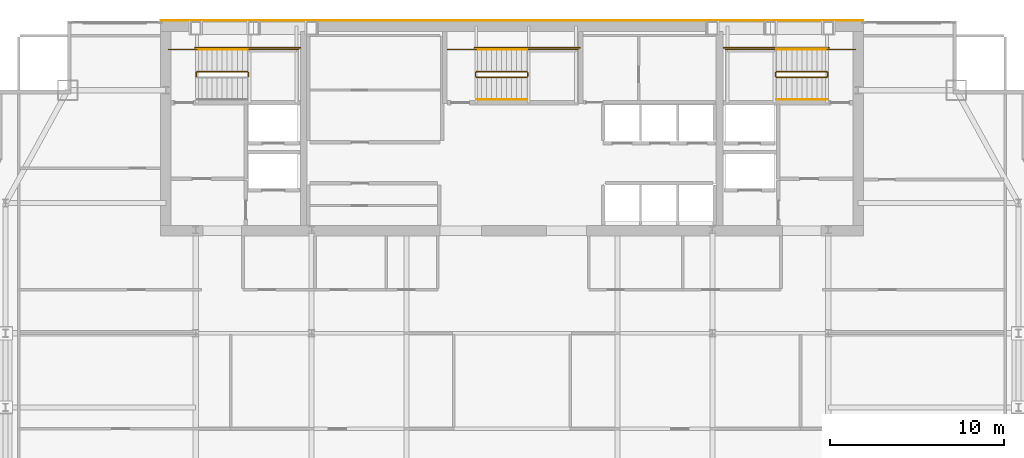
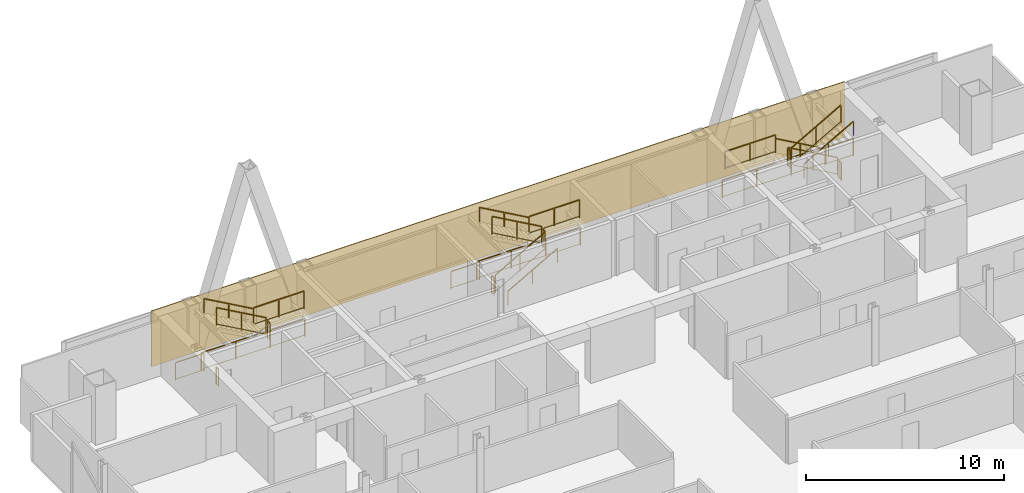
# One storey, part 33 of 33: 25 railings, 1 covering.
"""IFC4 building model written with IfcOpenShell, lengths in metres."""

from ifc_helpers import new_model, si_unit, direction, frame, origin, origin_2d, place, context, subcontext, project, spatial, polyline, rectangle, outline, extrude, material, layer, layer_set, type_object, element, save


model = new_model("IFC4")

# Units and contexts
model_context = context("Model", 3, precision=1e-05, world=origin(), true_north=direction((0.0, 1.0)))
body_context = subcontext(model_context, "Body", "Model", "MODEL_VIEW")
ifc_project = project(units=[si_unit("LENGTHUNIT", "METRE"), si_unit("AREAUNIT", "SQUARE_METRE"), si_unit("VOLUMEUNIT", "CUBIC_METRE"), si_unit("PLANEANGLEUNIT", "RADIAN"), si_unit("MASSUNIT", "GRAM", prefix="KILO")], contexts=[model_context])

# Site, building, storey
site_placement = place(None, origin())
site = spatial("IfcSite", under=ifc_project, at=site_placement, CompositionType="ELEMENT")
building_placement = place(site_placement, origin())
building = spatial("IfcBuilding", under=site, at=building_placement, Name="Khoronbel Lancet Exchange", CompositionType="ELEMENT")
storey_placement = place(building_placement, frame((0.0, 0.0, 210.199951171875)))
storey = spatial("IfcBuildingStorey", under=building, at=storey_placement, Name="L53", CompositionType="ELEMENT", Elevation=210.199951171875)

# Covering
ifc_material_1 = material(Name="Honed Egyptian Limestone & Bronze Rainscreen", Category="masonry")
ifc_layer = layer(ifc_material_1, 0.050048828125, Name="Honed Egyptian Limestone & Bronze Rainscreen")
ifc_layer_set = layer_set([ifc_layer], Name="Honed Egyptian Limestone & Bronze Rainscreen")
covering_type = type_object("IfcCoveringType", Name="COV-CLAD1", PredefinedType="CLADDING", material=ifc_layer_set)
covering_placement = place(storey_placement, origin())
element("IfcCovering", 1, at=covering_placement, inside=storey, type_object=covering_type, Name="Level L53 north rear-core stone and bronze rainscreen cladding", PredefinedType="CLADDING", context=body_context, shape_type="SweptSolid", body=[
    extrude(outline(polyline([(16.199951171875, 53.699951171875), (56.699951171875, 53.699951171875), (56.699951171875, 53.75), (16.199951171875, 53.75), (16.199951171875, 53.699951171875)])), origin(), (0.0, 0.0, 1.0), 3.43994140625),
])

# Railings
ifc_material_2 = material(Name="Painted Steel Balustrade", Category="steel")
railing_type_1 = type_object("IfcRailingType", Name="RL-STG110", PredefinedType="GUARDRAIL", material=ifc_material_2)
railing_1_placement = place(storey_placement, frame((21.25, 50.5, 1.800048828125)))
element("IfcRailing", 2, at=railing_1_placement, inside=storey, type_object=railing_type_1, Name="L53 ST1 stair guard 2", PredefinedType="GUARDRAIL", context=body_context, shape_type="SweptSolid", body=[
    extrude(rectangle(XDim=0.048095703125, YDim=0.048095703125, at=origin_2d()), frame((0.0, 0.0, 1.09619140625), z_axis=(0.0, 1.0, 0.0), x_axis=(-1.0, 0.0, 0.0)), (0.0, 0.0, 1.0), 0.219970703125),
    extrude(rectangle(XDim=0.02392578125, YDim=0.02392578125, at=origin_2d()), frame((0.0, 0.0, 0.080078125), z_axis=(0.0, 1.0, 0.0), x_axis=(-1.0, 0.0, 0.0)), (0.0, 0.0, 1.0), 0.219970703125),
    extrude(rectangle(XDim=0.0419921875, YDim=0.0419921875, at=origin_2d()), origin(), (0.0, 0.0, 1.0), 1.072021484375),
    extrude(rectangle(XDim=0.0419921875, YDim=0.0419921875, at=origin_2d()), frame((0.0, 0.219970703125, 0.0)), (0.0, 0.0, 1.0), 1.072021484375),
])
railing_2_placement = place(storey_placement, frame((21.199951171875, 52.050048828125, 1.800048828125)))
element("IfcRailing", 3, at=railing_2_placement, inside=storey, type_object=railing_type_1, Name="L53 ST1 stair guard 3", PredefinedType="GUARDRAIL", context=body_context, shape_type="SweptSolid", body=[
    extrude(rectangle(XDim=0.048095703125, YDim=0.048095703125, at=origin_2d()), frame((0.0, 0.0, 1.09619140625), z_axis=(1.0, 0.0, 0.0), x_axis=(0.0, 1.0, 0.0)), (0.0, 0.0, 1.0), 2.949951171875),
    extrude(rectangle(XDim=0.02392578125, YDim=0.02392578125, at=origin_2d()), frame((0.0, 0.0, 0.080078125), z_axis=(1.0, 0.0, 0.0), x_axis=(0.0, 1.0, 0.0)), (0.0, 0.0, 1.0), 2.949951171875),
    extrude(rectangle(XDim=0.0419921875, YDim=0.0419921875, at=origin_2d()), origin(), (0.0, 0.0, 1.0), 1.072021484375),
    extrude(rectangle(XDim=0.0419921875, YDim=0.0419921875, at=origin_2d()), frame((1.47509765625, 0.0, 0.0)), (0.0, 0.0, 1.0), 1.072021484375),
    extrude(rectangle(XDim=0.0419921875, YDim=0.0419921875, at=origin_2d()), frame((2.949951171875, 0.0, 0.0)), (0.0, 0.0, 1.0), 1.072021484375),
])
railing_3_placement = place(storey_placement, frame((21.199951171875, 50.77001953125, 1.963623046875)))
element("IfcRailing", 4, at=railing_3_placement, inside=storey, type_object=railing_type_1, Name="L53 ST1 stair guard 4", PredefinedType="GUARDRAIL", context=body_context, shape_type="SweptSolid", body=[
    extrude(rectangle(XDim=0.048095703125, YDim=0.048095703125, at=origin_2d()), frame((0.0, 0.0, 1.09619140625), z_axis=(-0.870897200241, 0.0, 0.491465224214), x_axis=(0.0, -1.0, 0.0)), (0.0, 0.0, 1.0), 3.329833984375),
    extrude(rectangle(XDim=0.02392578125, YDim=0.02392578125, at=origin_2d()), frame((0.0, 0.0, 0.080078125), z_axis=(-0.870897200241, 0.0, 0.491465224214), x_axis=(0.0, -1.0, 0.0)), (0.0, 0.0, 1.0), 3.329833984375),
    extrude(rectangle(XDim=0.0419921875, YDim=0.0419921875, at=origin_2d()), origin(), (0.0, 0.0, 1.0), 1.072021484375),
    extrude(rectangle(XDim=0.0419921875, YDim=0.0419921875, at=origin_2d()), frame((-1.449951171875, 0.0, 0.818359375)), (0.0, 0.0, 1.0), 1.072021484375),
    extrude(rectangle(XDim=0.0419921875, YDim=0.0419921875, at=origin_2d()), frame((-2.89990234375, 0.0, 1.636474609375)), (0.0, 0.0, 1.0), 1.072021484375),
])
railing_4_placement = place(storey_placement, frame((18.25, 50.5, 0.0)))
element("IfcRailing", 5, at=railing_4_placement, inside=storey, type_object=railing_type_1, Name="L53 ST1 stair guard 5", PredefinedType="GUARDRAIL", context=body_context, shape_type="SweptSolid", body=[
    extrude(rectangle(XDim=0.048095703125, YDim=0.048095703125, at=origin_2d()), frame((0.0, 0.0, 1.09619140625), z_axis=(0.0, 1.0, 0.0), x_axis=(-1.0, 0.0, 0.0)), (0.0, 0.0, 1.0), 0.219970703125),
    extrude(rectangle(XDim=0.02392578125, YDim=0.02392578125, at=origin_2d()), frame((0.0, 0.0, 0.080078125), z_axis=(0.0, 1.0, 0.0), x_axis=(-1.0, 0.0, 0.0)), (0.0, 0.0, 1.0), 0.219970703125),
    extrude(rectangle(XDim=0.0419921875, YDim=0.0419921875, at=origin_2d()), origin(), (0.0, 0.0, 1.0), 1.072021484375),
    extrude(rectangle(XDim=0.0419921875, YDim=0.0419921875, at=origin_2d()), frame((0.0, 0.219970703125, 0.0)), (0.0, 0.0, 1.0), 1.072021484375),
])
railing_5_placement = place(storey_placement, frame((16.64990234375, 52.050048828125, 0.0)))
element("IfcRailing", 6, at=railing_5_placement, inside=storey, type_object=railing_type_1, Name="L53 ST1 stair guard 6", PredefinedType="GUARDRAIL", context=body_context, shape_type="SweptSolid", body=[
    extrude(rectangle(XDim=0.048095703125, YDim=0.048095703125, at=origin_2d()), frame((0.0, 0.0, 1.09619140625), z_axis=(1.0, 0.0, 0.0), x_axis=(0.0, 1.0, 0.0)), (0.0, 0.0, 1.0), 1.650146484375),
    extrude(rectangle(XDim=0.02392578125, YDim=0.02392578125, at=origin_2d()), frame((0.0, 0.0, 0.080078125), z_axis=(1.0, 0.0, 0.0), x_axis=(0.0, 1.0, 0.0)), (0.0, 0.0, 1.0), 1.650146484375),
    extrude(rectangle(XDim=0.0419921875, YDim=0.0419921875, at=origin_2d()), origin(), (0.0, 0.0, 1.0), 1.072021484375),
    extrude(rectangle(XDim=0.0419921875, YDim=0.0419921875, at=origin_2d()), frame((1.650146484375, 0.0, 0.0)), (0.0, 0.0, 1.0), 1.072021484375),
])
railing_6_placement = place(storey_placement, frame((18.199951171875, 52.14990234375, 0.0)))
element("IfcRailing", 7, at=railing_6_placement, inside=storey, type_object=railing_type_1, Name="L53 ST1 stair guard 7", PredefinedType="GUARDRAIL", context=body_context, shape_type="SweptSolid", body=[
    extrude(rectangle(XDim=0.048095703125, YDim=0.048095703125, at=origin_2d()), frame((0.0, 0.0, 1.09619140625), z_axis=(1.0, 0.0, 0.0), x_axis=(0.0, 1.0, 0.0)), (0.0, 0.0, 1.0), 6.050048828125),
    extrude(rectangle(XDim=0.02392578125, YDim=0.02392578125, at=origin_2d()), frame((0.0, 0.0, 0.080078125), z_axis=(1.0, 0.0, 0.0), x_axis=(0.0, 1.0, 0.0)), (0.0, 0.0, 1.0), 6.050048828125),
    extrude(rectangle(XDim=0.0419921875, YDim=0.0419921875, at=origin_2d()), origin(), (0.0, 0.0, 1.0), 1.072021484375),
    extrude(rectangle(XDim=0.0419921875, YDim=0.0419921875, at=origin_2d()), frame((2.0166015625, 0.0, 0.0)), (0.0, 0.0, 1.0), 1.072021484375),
    extrude(rectangle(XDim=0.0419921875, YDim=0.0419921875, at=origin_2d()), frame((4.033447265625, 0.0, 0.0)), (0.0, 0.0, 1.0), 1.072021484375),
    extrude(rectangle(XDim=0.0419921875, YDim=0.0419921875, at=origin_2d()), frame((6.050048828125, 0.0, 0.0)), (0.0, 0.0, 1.0), 1.072021484375),
])
railing_7_placement = place(storey_placement, frame((54.60009765625, 50.77001953125, 0.16357421875)))
element("IfcRailing", 8, at=railing_7_placement, inside=storey, type_object=railing_type_1, Name="L53 ST2 stair guard 1", PredefinedType="GUARDRAIL", context=body_context, shape_type="SweptSolid", body=[
    extrude(rectangle(XDim=0.048095703125, YDim=0.048095703125, at=origin_2d()), frame((0.0, 0.0, 1.09619140625), z_axis=(-0.870914908162, 0.0, 0.491433843708), x_axis=(0.0, -1.0, 0.0)), (0.0, 0.0, 1.0), 3.330078125),
    extrude(rectangle(XDim=0.02392578125, YDim=0.02392578125, at=origin_2d()), frame((0.0, 0.0, 0.080078125), z_axis=(-0.870914908162, 0.0, 0.491433843708), x_axis=(0.0, -1.0, 0.0)), (0.0, 0.0, 1.0), 3.330078125),
    extrude(rectangle(XDim=0.0419921875, YDim=0.0419921875, at=origin_2d()), origin(), (0.0, 0.0, 1.0), 1.072021484375),
    extrude(rectangle(XDim=0.0419921875, YDim=0.0419921875, at=origin_2d()), frame((-1.4501953125, 0.0, 0.818359375)), (0.0, 0.0, 1.0), 1.072021484375),
    extrude(rectangle(XDim=0.0419921875, YDim=0.0419921875, at=origin_2d()), frame((-2.900146484375, 0.0, 1.636474609375)), (0.0, 0.0, 1.0), 1.072021484375),
])
railing_8_placement = place(storey_placement, frame((51.64990234375, 50.719970703125, 1.800048828125)))
element("IfcRailing", 9, at=railing_8_placement, inside=storey, type_object=railing_type_1, Name="L53 ST2 stair guard 2", PredefinedType="GUARDRAIL", context=body_context, shape_type="SweptSolid", body=[
    extrude(rectangle(XDim=0.048095703125, YDim=0.048095703125, at=origin_2d()), frame((0.0, 0.0, 1.09619140625), z_axis=(0.0, -1.0, 0.0), x_axis=(1.0, 0.0, 0.0)), (0.0, 0.0, 1.0), 0.219970703125),
    extrude(rectangle(XDim=0.02392578125, YDim=0.02392578125, at=origin_2d()), frame((0.0, 0.0, 0.080078125), z_axis=(0.0, -1.0, 0.0), x_axis=(1.0, 0.0, 0.0)), (0.0, 0.0, 1.0), 0.219970703125),
    extrude(rectangle(XDim=0.0419921875, YDim=0.0419921875, at=origin_2d()), origin(), (0.0, 0.0, 1.0), 1.072021484375),
    extrude(rectangle(XDim=0.0419921875, YDim=0.0419921875, at=origin_2d()), frame((0.0, -0.219970703125, 0.0)), (0.0, 0.0, 1.0), 1.072021484375),
])
railing_9_placement = place(storey_placement, frame((51.699951171875, 52.050048828125, 1.800048828125)))
element("IfcRailing", 10, at=railing_9_placement, inside=storey, type_object=railing_type_1, Name="L53 ST2 stair guard 3", PredefinedType="GUARDRAIL", context=body_context, shape_type="SweptSolid", body=[
    extrude(rectangle(XDim=0.048095703125, YDim=0.048095703125, at=origin_2d()), frame((0.0, 0.0, 1.09619140625), z_axis=(-1.0, 0.0, 0.0), x_axis=(0.0, -1.0, 0.0)), (0.0, 0.0, 1.0), 2.949951171875),
    extrude(rectangle(XDim=0.02392578125, YDim=0.02392578125, at=origin_2d()), frame((0.0, 0.0, 0.080078125), z_axis=(-1.0, 0.0, 0.0), x_axis=(0.0, -1.0, 0.0)), (0.0, 0.0, 1.0), 2.949951171875),
    extrude(rectangle(XDim=0.0419921875, YDim=0.0419921875, at=origin_2d()), origin(), (0.0, 0.0, 1.0), 1.072021484375),
    extrude(rectangle(XDim=0.0419921875, YDim=0.0419921875, at=origin_2d()), frame((-1.47509765625, 0.0, 0.0)), (0.0, 0.0, 1.0), 1.072021484375),
    extrude(rectangle(XDim=0.0419921875, YDim=0.0419921875, at=origin_2d()), frame((-2.949951171875, 0.0, 0.0)), (0.0, 0.0, 1.0), 1.072021484375),
])
railing_10_placement = place(storey_placement, frame((51.699951171875, 50.449951171875, 1.963623046875)))
element("IfcRailing", 11, at=railing_10_placement, inside=storey, type_object=railing_type_1, Name="L53 ST2 stair guard 4", PredefinedType="GUARDRAIL", context=body_context, shape_type="SweptSolid", body=[
    extrude(rectangle(XDim=0.048095703125, YDim=0.048095703125, at=origin_2d()), frame((0.0, 0.0, 1.09619140625), z_axis=(0.870914908162, 0.0, 0.491433843708), x_axis=(0.0, 1.0, 0.0)), (0.0, 0.0, 1.0), 3.330078125),
    extrude(rectangle(XDim=0.02392578125, YDim=0.02392578125, at=origin_2d()), frame((0.0, 0.0, 0.080078125), z_axis=(0.870914908162, 0.0, 0.491433843708), x_axis=(0.0, 1.0, 0.0)), (0.0, 0.0, 1.0), 3.330078125),
    extrude(rectangle(XDim=0.0419921875, YDim=0.0419921875, at=origin_2d()), origin(), (0.0, 0.0, 1.0), 1.072021484375),
    extrude(rectangle(XDim=0.0419921875, YDim=0.0419921875, at=origin_2d()), frame((1.4501953125, 0.0, 0.818359375)), (0.0, 0.0, 1.0), 1.072021484375),
    extrude(rectangle(XDim=0.0419921875, YDim=0.0419921875, at=origin_2d()), frame((2.900146484375, 0.0, 1.636474609375)), (0.0, 0.0, 1.0), 1.072021484375),
])
railing_11_placement = place(storey_placement, frame((54.64990234375, 50.719970703125, 0.0)))
element("IfcRailing", 12, at=railing_11_placement, inside=storey, type_object=railing_type_1, Name="L53 ST2 stair guard 5", PredefinedType="GUARDRAIL", context=body_context, shape_type="SweptSolid", body=[
    extrude(rectangle(XDim=0.048095703125, YDim=0.048095703125, at=origin_2d()), frame((0.0, 0.0, 1.09619140625), z_axis=(0.0, -1.0, 0.0), x_axis=(1.0, 0.0, 0.0)), (0.0, 0.0, 1.0), 0.219970703125),
    extrude(rectangle(XDim=0.02392578125, YDim=0.02392578125, at=origin_2d()), frame((0.0, 0.0, 0.080078125), z_axis=(0.0, -1.0, 0.0), x_axis=(1.0, 0.0, 0.0)), (0.0, 0.0, 1.0), 0.219970703125),
    extrude(rectangle(XDim=0.0419921875, YDim=0.0419921875, at=origin_2d()), origin(), (0.0, 0.0, 1.0), 1.072021484375),
    extrude(rectangle(XDim=0.0419921875, YDim=0.0419921875, at=origin_2d()), frame((0.0, -0.219970703125, 0.0)), (0.0, 0.0, 1.0), 1.072021484375),
])
railing_12_placement = place(storey_placement, frame((56.25, 52.050048828125, 0.0)))
element("IfcRailing", 13, at=railing_12_placement, inside=storey, type_object=railing_type_1, Name="L53 ST2 stair guard 6", PredefinedType="GUARDRAIL", context=body_context, shape_type="SweptSolid", body=[
    extrude(rectangle(XDim=0.048095703125, YDim=0.048095703125, at=origin_2d()), frame((0.0, 0.0, 1.09619140625), z_axis=(-1.0, 0.0, 0.0), x_axis=(0.0, -1.0, 0.0)), (0.0, 0.0, 1.0), 1.64990234375),
    extrude(rectangle(XDim=0.02392578125, YDim=0.02392578125, at=origin_2d()), frame((0.0, 0.0, 0.080078125), z_axis=(-1.0, 0.0, 0.0), x_axis=(0.0, -1.0, 0.0)), (0.0, 0.0, 1.0), 1.64990234375),
    extrude(rectangle(XDim=0.0419921875, YDim=0.0419921875, at=origin_2d()), origin(), (0.0, 0.0, 1.0), 1.072021484375),
    extrude(rectangle(XDim=0.0419921875, YDim=0.0419921875, at=origin_2d()), frame((-1.64990234375, 0.0, 0.0)), (0.0, 0.0, 1.0), 1.072021484375),
])
railing_13_placement = place(storey_placement, frame((54.699951171875, 52.14990234375, 0.0)))
element("IfcRailing", 14, at=railing_13_placement, inside=storey, type_object=railing_type_1, Name="L53 ST2 stair guard 7", PredefinedType="GUARDRAIL", context=body_context, shape_type="SweptSolid", body=[
    extrude(rectangle(XDim=0.048095703125, YDim=0.048095703125, at=origin_2d()), frame((0.0, 0.0, 1.09619140625), z_axis=(-1.0, 0.0, 0.0), x_axis=(0.0, -1.0, 0.0)), (0.0, 0.0, 1.0), 6.050048828125),
    extrude(rectangle(XDim=0.02392578125, YDim=0.02392578125, at=origin_2d()), frame((0.0, 0.0, 0.080078125), z_axis=(-1.0, 0.0, 0.0), x_axis=(0.0, -1.0, 0.0)), (0.0, 0.0, 1.0), 6.050048828125),
    extrude(rectangle(XDim=0.0419921875, YDim=0.0419921875, at=origin_2d()), origin(), (0.0, 0.0, 1.0), 1.072021484375),
    extrude(rectangle(XDim=0.0419921875, YDim=0.0419921875, at=origin_2d()), frame((-2.0166015625, 0.0, 0.0)), (0.0, 0.0, 1.0), 1.072021484375),
    extrude(rectangle(XDim=0.0419921875, YDim=0.0419921875, at=origin_2d()), frame((-4.033447265625, 0.0, 0.0)), (0.0, 0.0, 1.0), 1.072021484375),
    extrude(rectangle(XDim=0.0419921875, YDim=0.0419921875, at=origin_2d()), frame((-6.050048828125, 0.0, 0.0)), (0.0, 0.0, 1.0), 1.072021484375),
])
railing_14_placement = place(storey_placement, frame((34.39990234375, 50.449951171875, 0.16357421875)))
element("IfcRailing", 15, at=railing_14_placement, inside=storey, type_object=railing_type_1, Name="L53 ST3 stair guard 1", PredefinedType="GUARDRAIL", context=body_context, shape_type="SweptSolid", body=[
    extrude(rectangle(XDim=0.048095703125, YDim=0.048095703125, at=origin_2d()), frame((0.0, 0.0, 1.09619140625), z_axis=(0.870914908162, 0.0, 0.491433843708), x_axis=(0.0, 1.0, 0.0)), (0.0, 0.0, 1.0), 3.330078125),
    extrude(rectangle(XDim=0.02392578125, YDim=0.02392578125, at=origin_2d()), frame((0.0, 0.0, 0.080078125), z_axis=(0.870914908162, 0.0, 0.491433843708), x_axis=(0.0, 1.0, 0.0)), (0.0, 0.0, 1.0), 3.330078125),
    extrude(rectangle(XDim=0.0419921875, YDim=0.0419921875, at=origin_2d()), origin(), (0.0, 0.0, 1.0), 1.072021484375),
    extrude(rectangle(XDim=0.0419921875, YDim=0.0419921875, at=origin_2d()), frame((1.4501953125, 0.0, 0.818359375)), (0.0, 0.0, 1.0), 1.072021484375),
    extrude(rectangle(XDim=0.0419921875, YDim=0.0419921875, at=origin_2d()), frame((2.900146484375, 0.0, 1.636474609375)), (0.0, 0.0, 1.0), 1.072021484375),
])
railing_15_placement = place(storey_placement, frame((37.35009765625, 50.5, 1.800048828125)))
element("IfcRailing", 16, at=railing_15_placement, inside=storey, type_object=railing_type_1, Name="L53 ST3 stair guard 2", PredefinedType="GUARDRAIL", context=body_context, shape_type="SweptSolid", body=[
    extrude(rectangle(XDim=0.048095703125, YDim=0.048095703125, at=origin_2d()), frame((0.0, 0.0, 1.09619140625), z_axis=(0.0, 1.0, 0.0), x_axis=(-1.0, 0.0, 0.0)), (0.0, 0.0, 1.0), 0.219970703125),
    extrude(rectangle(XDim=0.02392578125, YDim=0.02392578125, at=origin_2d()), frame((0.0, 0.0, 0.080078125), z_axis=(0.0, 1.0, 0.0), x_axis=(-1.0, 0.0, 0.0)), (0.0, 0.0, 1.0), 0.219970703125),
    extrude(rectangle(XDim=0.0419921875, YDim=0.0419921875, at=origin_2d()), origin(), (0.0, 0.0, 1.0), 1.072021484375),
    extrude(rectangle(XDim=0.0419921875, YDim=0.0419921875, at=origin_2d()), frame((0.0, 0.219970703125, 0.0)), (0.0, 0.0, 1.0), 1.072021484375),
])
railing_16_placement = place(storey_placement, frame((37.300048828125, 52.050048828125, 1.800048828125)))
element("IfcRailing", 17, at=railing_16_placement, inside=storey, type_object=railing_type_1, Name="L53 ST3 stair guard 3", PredefinedType="GUARDRAIL", context=body_context, shape_type="SweptSolid", body=[
    extrude(rectangle(XDim=0.048095703125, YDim=0.048095703125, at=origin_2d()), frame((0.0, 0.0, 1.09619140625), z_axis=(1.0, 0.0, 0.0), x_axis=(0.0, 1.0, 0.0)), (0.0, 0.0, 1.0), 2.949951171875),
    extrude(rectangle(XDim=0.02392578125, YDim=0.02392578125, at=origin_2d()), frame((0.0, 0.0, 0.080078125), z_axis=(1.0, 0.0, 0.0), x_axis=(0.0, 1.0, 0.0)), (0.0, 0.0, 1.0), 2.949951171875),
    extrude(rectangle(XDim=0.0419921875, YDim=0.0419921875, at=origin_2d()), origin(), (0.0, 0.0, 1.0), 1.072021484375),
    extrude(rectangle(XDim=0.0419921875, YDim=0.0419921875, at=origin_2d()), frame((1.47509765625, 0.0, 0.0)), (0.0, 0.0, 1.0), 1.072021484375),
    extrude(rectangle(XDim=0.0419921875, YDim=0.0419921875, at=origin_2d()), frame((2.949951171875, 0.0, 0.0)), (0.0, 0.0, 1.0), 1.072021484375),
])
railing_17_placement = place(storey_placement, frame((37.300048828125, 50.77001953125, 1.963623046875)))
element("IfcRailing", 18, at=railing_17_placement, inside=storey, type_object=railing_type_1, Name="L53 ST3 stair guard 4", PredefinedType="GUARDRAIL", context=body_context, shape_type="SweptSolid", body=[
    extrude(rectangle(XDim=0.048095703125, YDim=0.048095703125, at=origin_2d()), frame((0.0, 0.0, 1.09619140625), z_axis=(-0.870914908162, 0.0, 0.491433843708), x_axis=(0.0, -1.0, 0.0)), (0.0, 0.0, 1.0), 3.330078125),
    extrude(rectangle(XDim=0.02392578125, YDim=0.02392578125, at=origin_2d()), frame((0.0, 0.0, 0.080078125), z_axis=(-0.870914908162, 0.0, 0.491433843708), x_axis=(0.0, -1.0, 0.0)), (0.0, 0.0, 1.0), 3.330078125),
    extrude(rectangle(XDim=0.0419921875, YDim=0.0419921875, at=origin_2d()), origin(), (0.0, 0.0, 1.0), 1.072021484375),
    extrude(rectangle(XDim=0.0419921875, YDim=0.0419921875, at=origin_2d()), frame((-1.4501953125, 0.0, 0.818359375)), (0.0, 0.0, 1.0), 1.072021484375),
    extrude(rectangle(XDim=0.0419921875, YDim=0.0419921875, at=origin_2d()), frame((-2.900146484375, 0.0, 1.636474609375)), (0.0, 0.0, 1.0), 1.072021484375),
])
railing_18_placement = place(storey_placement, frame((34.35009765625, 50.5, 0.0)))
element("IfcRailing", 19, at=railing_18_placement, inside=storey, type_object=railing_type_1, Name="L53 ST3 stair guard 5", PredefinedType="GUARDRAIL", context=body_context, shape_type="SweptSolid", body=[
    extrude(rectangle(XDim=0.048095703125, YDim=0.048095703125, at=origin_2d()), frame((0.0, 0.0, 1.09619140625), z_axis=(0.0, 1.0, 0.0), x_axis=(-1.0, 0.0, 0.0)), (0.0, 0.0, 1.0), 0.219970703125),
    extrude(rectangle(XDim=0.02392578125, YDim=0.02392578125, at=origin_2d()), frame((0.0, 0.0, 0.080078125), z_axis=(0.0, 1.0, 0.0), x_axis=(-1.0, 0.0, 0.0)), (0.0, 0.0, 1.0), 0.219970703125),
    extrude(rectangle(XDim=0.0419921875, YDim=0.0419921875, at=origin_2d()), origin(), (0.0, 0.0, 1.0), 1.072021484375),
    extrude(rectangle(XDim=0.0419921875, YDim=0.0419921875, at=origin_2d()), frame((0.0, 0.219970703125, 0.0)), (0.0, 0.0, 1.0), 1.072021484375),
])
railing_19_placement = place(storey_placement, frame((32.75, 52.050048828125, 0.0)))
element("IfcRailing", 20, at=railing_19_placement, inside=storey, type_object=railing_type_1, Name="L53 ST3 stair guard 6", PredefinedType="GUARDRAIL", context=body_context, shape_type="SweptSolid", body=[
    extrude(rectangle(XDim=0.048095703125, YDim=0.048095703125, at=origin_2d()), frame((0.0, 0.0, 1.09619140625), z_axis=(1.0, 0.0, 0.0), x_axis=(0.0, 1.0, 0.0)), (0.0, 0.0, 1.0), 1.64990234375),
    extrude(rectangle(XDim=0.02392578125, YDim=0.02392578125, at=origin_2d()), frame((0.0, 0.0, 0.080078125), z_axis=(1.0, 0.0, 0.0), x_axis=(0.0, 1.0, 0.0)), (0.0, 0.0, 1.0), 1.64990234375),
    extrude(rectangle(XDim=0.0419921875, YDim=0.0419921875, at=origin_2d()), origin(), (0.0, 0.0, 1.0), 1.072021484375),
    extrude(rectangle(XDim=0.0419921875, YDim=0.0419921875, at=origin_2d()), frame((1.64990234375, 0.0, 0.0)), (0.0, 0.0, 1.0), 1.072021484375),
])
railing_20_placement = place(storey_placement, frame((34.300048828125, 52.14990234375, 0.0)))
element("IfcRailing", 21, at=railing_20_placement, inside=storey, type_object=railing_type_1, Name="L53 ST3 stair guard 7", PredefinedType="GUARDRAIL", context=body_context, shape_type="SweptSolid", body=[
    extrude(rectangle(XDim=0.048095703125, YDim=0.048095703125, at=origin_2d()), frame((0.0, 0.0, 1.09619140625), z_axis=(1.0, 0.0, 0.0), x_axis=(0.0, 1.0, 0.0)), (0.0, 0.0, 1.0), 6.050048828125),
    extrude(rectangle(XDim=0.02392578125, YDim=0.02392578125, at=origin_2d()), frame((0.0, 0.0, 0.080078125), z_axis=(1.0, 0.0, 0.0), x_axis=(0.0, 1.0, 0.0)), (0.0, 0.0, 1.0), 6.050048828125),
    extrude(rectangle(XDim=0.0419921875, YDim=0.0419921875, at=origin_2d()), origin(), (0.0, 0.0, 1.0), 1.072021484375),
    extrude(rectangle(XDim=0.0419921875, YDim=0.0419921875, at=origin_2d()), frame((2.0166015625, 0.0, 0.0)), (0.0, 0.0, 1.0), 1.072021484375),
    extrude(rectangle(XDim=0.0419921875, YDim=0.0419921875, at=origin_2d()), frame((4.033447265625, 0.0, 0.0)), (0.0, 0.0, 1.0), 1.072021484375),
    extrude(rectangle(XDim=0.0419921875, YDim=0.0419921875, at=origin_2d()), frame((6.050048828125, 0.0, 0.0)), (0.0, 0.0, 1.0), 1.072021484375),
])
ifc_material_3 = material(Name="Brushed Stainless Steel 316", Category="steel")
railing_type_2 = type_object("IfcRailingType", Name="RL-STH92", PredefinedType="HANDRAIL", material=ifc_material_3)
railing_21_placement = place(storey_placement, frame((21.199951171875, 52.050048828125, 1.963623046875)))
element("IfcRailing", 22, at=railing_21_placement, inside=storey, type_object=railing_type_2, Name="L53 ST1 stair handrail 2", PredefinedType="HANDRAIL", context=body_context, shape_type="SweptSolid", body=[
    extrude(rectangle(XDim=0.048095703125, YDim=0.048095703125, at=origin_2d()), frame((0.0, 0.0, 0.8759765625), z_axis=(-0.870897200241, 0.0, 0.491465224214), x_axis=(0.0, -1.0, 0.0)), (0.0, 0.0, 1.0), 3.329833984375),
    extrude(rectangle(XDim=0.0419921875, YDim=0.0419921875, at=origin_2d()), origin(), (0.0, 0.0, 1.0), 0.851806640625),
    extrude(rectangle(XDim=0.0419921875, YDim=0.0419921875, at=origin_2d()), frame((-1.449951171875, 0.0, 0.818359375)), (0.0, 0.0, 1.0), 0.851806640625),
    extrude(rectangle(XDim=0.0419921875, YDim=0.0419921875, at=origin_2d()), frame((-2.89990234375, 0.0, 1.636474609375)), (0.0, 0.0, 1.0), 0.851806640625),
])
railing_22_placement = place(storey_placement, frame((54.60009765625, 52.050048828125, 0.16357421875)))
element("IfcRailing", 23, at=railing_22_placement, inside=storey, type_object=railing_type_2, Name="L53 ST2 stair handrail 1", PredefinedType="HANDRAIL", context=body_context, shape_type="SweptSolid", body=[
    extrude(rectangle(XDim=0.048095703125, YDim=0.048095703125, at=origin_2d()), frame((0.0, 0.0, 0.8759765625), z_axis=(-0.870914908162, 0.0, 0.491433843708), x_axis=(0.0, -1.0, 0.0)), (0.0, 0.0, 1.0), 3.330078125),
    extrude(rectangle(XDim=0.0419921875, YDim=0.0419921875, at=origin_2d()), origin(), (0.0, 0.0, 1.0), 0.851806640625),
    extrude(rectangle(XDim=0.0419921875, YDim=0.0419921875, at=origin_2d()), frame((-1.4501953125, 0.0, 0.818359375)), (0.0, 0.0, 1.0), 0.851806640625),
    extrude(rectangle(XDim=0.0419921875, YDim=0.0419921875, at=origin_2d()), frame((-2.900146484375, 0.0, 1.636474609375)), (0.0, 0.0, 1.0), 0.851806640625),
])
for number, where, name in (
    (24, (51.699951171875, 49.169921875, 1.963623046875), "L53 ST2 stair handrail 2"),
    (25, (34.39990234375, 49.169921875, 0.16357421875), "L53 ST3 stair handrail 1"),
):
    element("IfcRailing", number, at=place(storey_placement, frame(where)), inside=storey, type_object=railing_type_2, Name=name, PredefinedType="HANDRAIL", context=body_context, shape_type="SweptSolid", body=[
        extrude(rectangle(XDim=0.048095703125, YDim=0.048095703125, at=origin_2d()), frame((0.0, 0.0, 0.8759765625), z_axis=(0.870914908162, 0.0, 0.491433843708), x_axis=(0.0, 1.0, 0.0)), (0.0, 0.0, 1.0), 3.330078125),
        extrude(rectangle(XDim=0.0419921875, YDim=0.0419921875, at=origin_2d()), origin(), (0.0, 0.0, 1.0), 0.851806640625),
        extrude(rectangle(XDim=0.0419921875, YDim=0.0419921875, at=origin_2d()), frame((1.4501953125, 0.0, 0.818359375)), (0.0, 0.0, 1.0), 0.851806640625),
        extrude(rectangle(XDim=0.0419921875, YDim=0.0419921875, at=origin_2d()), frame((2.900146484375, 0.0, 1.636474609375)), (0.0, 0.0, 1.0), 0.851806640625),
    ])
railing_23_placement = place(storey_placement, frame((37.300048828125, 52.050048828125, 1.963623046875)))
element("IfcRailing", 26, at=railing_23_placement, inside=storey, type_object=railing_type_2, Name="L53 ST3 stair handrail 2", PredefinedType="HANDRAIL", context=body_context, shape_type="SweptSolid", body=[
    extrude(rectangle(XDim=0.048095703125, YDim=0.048095703125, at=origin_2d()), frame((0.0, 0.0, 0.8759765625), z_axis=(-0.870914908162, 0.0, 0.491433843708), x_axis=(0.0, -1.0, 0.0)), (0.0, 0.0, 1.0), 3.330078125),
    extrude(rectangle(XDim=0.0419921875, YDim=0.0419921875, at=origin_2d()), origin(), (0.0, 0.0, 1.0), 0.851806640625),
    extrude(rectangle(XDim=0.0419921875, YDim=0.0419921875, at=origin_2d()), frame((-1.4501953125, 0.0, 0.818359375)), (0.0, 0.0, 1.0), 0.851806640625),
    extrude(rectangle(XDim=0.0419921875, YDim=0.0419921875, at=origin_2d()), frame((-2.900146484375, 0.0, 1.636474609375)), (0.0, 0.0, 1.0), 0.851806640625),
])

save(model, "model.ifc")
